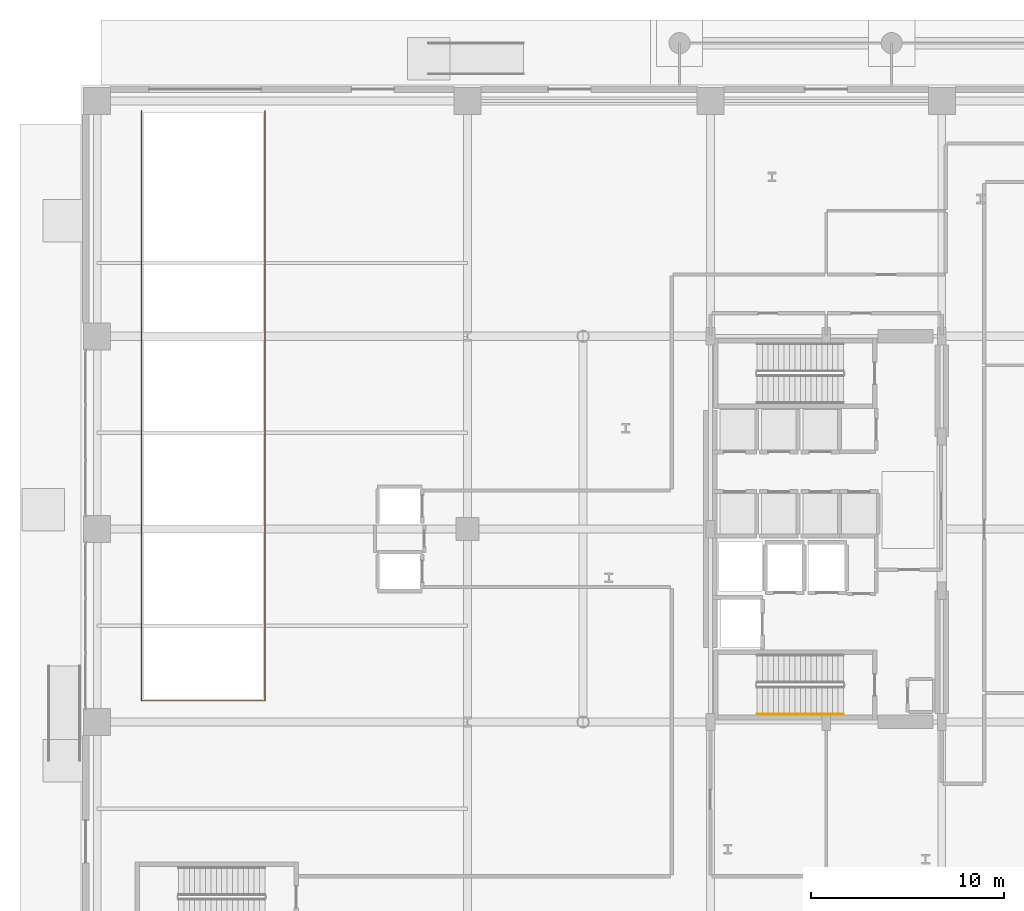
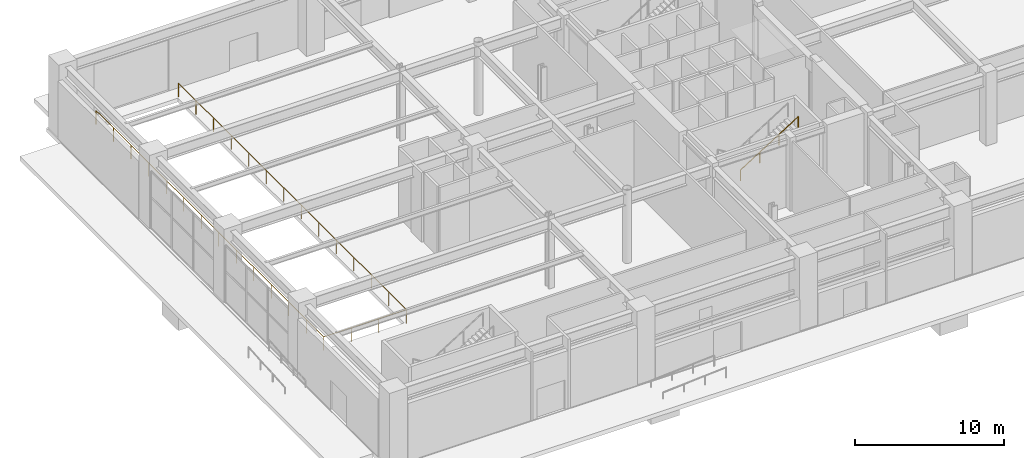
# One storey, part 26 of 31: 2 railings.
"""IFC4 building model written with IfcOpenShell, lengths in metres."""

from ifc_helpers import new_model, si_unit, direction, frame, origin, origin_2d, place, context, subcontext, project, spatial, circle, extrude, material, type_object, element, save


model = new_model("IFC4")

# Units and contexts
model_context = context("Model", 3, precision=1e-05, world=origin(), true_north=direction((0.0, 1.0)))
body_context = subcontext(model_context, "Body", "Model", "MODEL_VIEW")
ifc_project = project(units=[si_unit("LENGTHUNIT", "METRE"), si_unit("AREAUNIT", "SQUARE_METRE"), si_unit("VOLUMEUNIT", "CUBIC_METRE"), si_unit("PLANEANGLEUNIT", "RADIAN"), si_unit("MASSUNIT", "GRAM", prefix="KILO")], contexts=[model_context])

# Site, building, storey
site_placement = place(None, origin())
site = spatial("IfcSite", under=ifc_project, at=site_placement, CompositionType="ELEMENT")
building_placement = place(site_placement, origin())
building = spatial("IfcBuilding", under=site, at=building_placement, Name="Soratama Intermodal Tower", CompositionType="ELEMENT")
storey_placement = place(building_placement, origin())
storey = spatial("IfcBuildingStorey", under=building, at=storey_placement, Name="L00", CompositionType="ELEMENT", Elevation=0.0)

# Railings
ifc_material_1 = material(Name="Painted steel stair guardrail", Category="steel")
railing_type_1 = type_object("IfcRailingType", Name="RL-STAIR-GUARD", PredefinedType="GUARDRAIL", material=ifc_material_1)
railing_1_placement = place(storey_placement, frame((3.10009765625, 46.699951171875, 0.0)))
element("IfcRailing", 1, at=railing_1_placement, inside=storey, type_object=railing_type_1, Name="L00 Vehicle Ramp Well Guardrail", PredefinedType="GUARDRAIL", context=body_context, shape_type="SweptSolid", body=[
    extrude(circle(Radius=0.02392578125, at=origin_2d()), frame((0.0, 0.0, 1.1259765625), z_axis=(0.0, -1.0, 0.0), x_axis=(1.0, 0.0, 0.0)), (0.0, 0.0, 1.0), 30.599853515625),
    extrude(circle(Radius=0.02392578125, at=origin_2d()), frame((0.0, -30.599853515625, 1.1259765625), z_axis=(1.0, 0.0, 0.0), x_axis=(0.0, 1.0, 0.0)), (0.0, 0.0, 1.0), 6.39990234375),
    extrude(circle(Radius=0.02392578125, at=origin_2d()), frame((6.39990234375, -30.599853515625, 1.1259765625), z_axis=(0.0, 1.0, 0.0), x_axis=(-1.0, 0.0, 0.0)), (0.0, 0.0, 1.0), 30.599853515625),
    extrude(circle(Radius=0.02099609375, at=origin_2d()), origin(), (0.0, 0.0, 1.0), 1.101806640625),
    extrude(circle(Radius=0.02099609375, at=origin_2d()), frame((0.0, -2.353759765625, 0.0)), (0.0, 0.0, 1.0), 1.101806640625),
    extrude(circle(Radius=0.02099609375, at=origin_2d()), frame((0.0, -4.707763671875, 0.0)), (0.0, 0.0, 1.0), 1.101806640625),
    extrude(circle(Radius=0.02099609375, at=origin_2d()), frame((0.0, -7.0615234375, 0.0)), (0.0, 0.0, 1.0), 1.101806640625),
    extrude(circle(Radius=0.02099609375, at=origin_2d()), frame((0.0, -9.415283203125, 0.0)), (0.0, 0.0, 1.0), 1.101806640625),
    extrude(circle(Radius=0.02099609375, at=origin_2d()), frame((0.0, -11.769287109375, 0.0)), (0.0, 0.0, 1.0), 1.101806640625),
    extrude(circle(Radius=0.02099609375, at=origin_2d()), frame((0.0, -14.123046875, 0.0)), (0.0, 0.0, 1.0), 1.101806640625),
    extrude(circle(Radius=0.02099609375, at=origin_2d()), frame((0.0, -16.476806640625, 0.0)), (0.0, 0.0, 1.0), 1.101806640625),
    extrude(circle(Radius=0.02099609375, at=origin_2d()), frame((0.0, -18.83056640625, 0.0)), (0.0, 0.0, 1.0), 1.101806640625),
    extrude(circle(Radius=0.02099609375, at=origin_2d()), frame((0.0, -21.1845703125, 0.0)), (0.0, 0.0, 1.0), 1.101806640625),
    extrude(circle(Radius=0.02099609375, at=origin_2d()), frame((0.0, -23.538330078125, 0.0)), (0.0, 0.0, 1.0), 1.101806640625),
    extrude(circle(Radius=0.02099609375, at=origin_2d()), frame((0.0, -25.89208984375, 0.0)), (0.0, 0.0, 1.0), 1.101806640625),
    extrude(circle(Radius=0.02099609375, at=origin_2d()), frame((0.0, -28.24609375, 0.0)), (0.0, 0.0, 1.0), 1.101806640625),
    extrude(circle(Radius=0.02099609375, at=origin_2d()), frame((0.0, -30.599853515625, 0.0)), (0.0, 0.0, 1.0), 1.101806640625),
    extrude(circle(Radius=0.02099609375, at=origin_2d()), frame((2.13330078125, -30.599853515625, 0.0)), (0.0, 0.0, 1.0), 1.101806640625),
    extrude(circle(Radius=0.02099609375, at=origin_2d()), frame((4.2666015625, -30.599853515625, 0.0)), (0.0, 0.0, 1.0), 1.101806640625),
    extrude(circle(Radius=0.02099609375, at=origin_2d()), frame((6.39990234375, -30.599853515625, 0.0)), (0.0, 0.0, 1.0), 1.101806640625),
    extrude(circle(Radius=0.02099609375, at=origin_2d()), frame((6.39990234375, -28.24609375, 0.0)), (0.0, 0.0, 1.0), 1.101806640625),
    extrude(circle(Radius=0.02099609375, at=origin_2d()), frame((6.39990234375, -25.89208984375, 0.0)), (0.0, 0.0, 1.0), 1.101806640625),
    extrude(circle(Radius=0.02099609375, at=origin_2d()), frame((6.39990234375, -23.538330078125, 0.0)), (0.0, 0.0, 1.0), 1.101806640625),
    extrude(circle(Radius=0.02099609375, at=origin_2d()), frame((6.39990234375, -21.1845703125, 0.0)), (0.0, 0.0, 1.0), 1.101806640625),
    extrude(circle(Radius=0.02099609375, at=origin_2d()), frame((6.39990234375, -18.83056640625, 0.0)), (0.0, 0.0, 1.0), 1.101806640625),
    extrude(circle(Radius=0.02099609375, at=origin_2d()), frame((6.39990234375, -16.476806640625, 0.0)), (0.0, 0.0, 1.0), 1.101806640625),
    extrude(circle(Radius=0.02099609375, at=origin_2d()), frame((6.39990234375, -14.123046875, 0.0)), (0.0, 0.0, 1.0), 1.101806640625),
    extrude(circle(Radius=0.02099609375, at=origin_2d()), frame((6.39990234375, -11.769287109375, 0.0)), (0.0, 0.0, 1.0), 1.101806640625),
    extrude(circle(Radius=0.02099609375, at=origin_2d()), frame((6.39990234375, -9.415283203125, 0.0)), (0.0, 0.0, 1.0), 1.101806640625),
    extrude(circle(Radius=0.02099609375, at=origin_2d()), frame((6.39990234375, -7.0615234375, 0.0)), (0.0, 0.0, 1.0), 1.101806640625),
    extrude(circle(Radius=0.02099609375, at=origin_2d()), frame((6.39990234375, -4.707763671875, 0.0)), (0.0, 0.0, 1.0), 1.101806640625),
    extrude(circle(Radius=0.02099609375, at=origin_2d()), frame((6.39990234375, -2.353759765625, 0.0)), (0.0, 0.0, 1.0), 1.101806640625),
    extrude(circle(Radius=0.02099609375, at=origin_2d()), frame((6.39990234375, 0.0, 0.0)), (0.0, 0.0, 1.0), 1.101806640625),
])
ifc_material_2 = material(Name="Brushed stainless steel handrail", Category="steel")
railing_type_2 = type_object("IfcRailingType", Name="RL-STAIR-HAND", PredefinedType="HANDRAIL", material=ifc_material_2)
railing_2_placement = place(storey_placement, frame((35.02001953125, 15.39990234375, 3.176513671875)))
element("IfcRailing", 2, at=railing_2_placement, inside=storey, type_object=railing_type_2, Name="L00 ST-1 stair handrail 2", PredefinedType="HANDRAIL", context=body_context, shape_type="SweptSolid", body=[
    extrude(circle(Radius=0.02392578125, at=origin_2d()), frame((0.0, 0.0, 0.8759765625), z_axis=(0.845997938375, 0.0, 0.533186166611), x_axis=(0.0, 1.0, 0.0)), (0.0, 0.0, 1.0), 5.29541015625),
    extrude(circle(Radius=0.02099609375, at=origin_2d()), origin(), (0.0, 0.0, 1.0), 0.851806640625),
    extrude(circle(Radius=0.02099609375, at=origin_2d()), frame((1.493408203125, 0.0, 0.941162109375)), (0.0, 0.0, 1.0), 0.851806640625),
    extrude(circle(Radius=0.02099609375, at=origin_2d()), frame((2.986572265625, 0.0, 1.88232421875)), (0.0, 0.0, 1.0), 0.851806640625),
    extrude(circle(Radius=0.02099609375, at=origin_2d()), frame((4.47998046875, 0.0, 2.823486328125)), (0.0, 0.0, 1.0), 0.851806640625),
])

save(model, "model.ifc")
